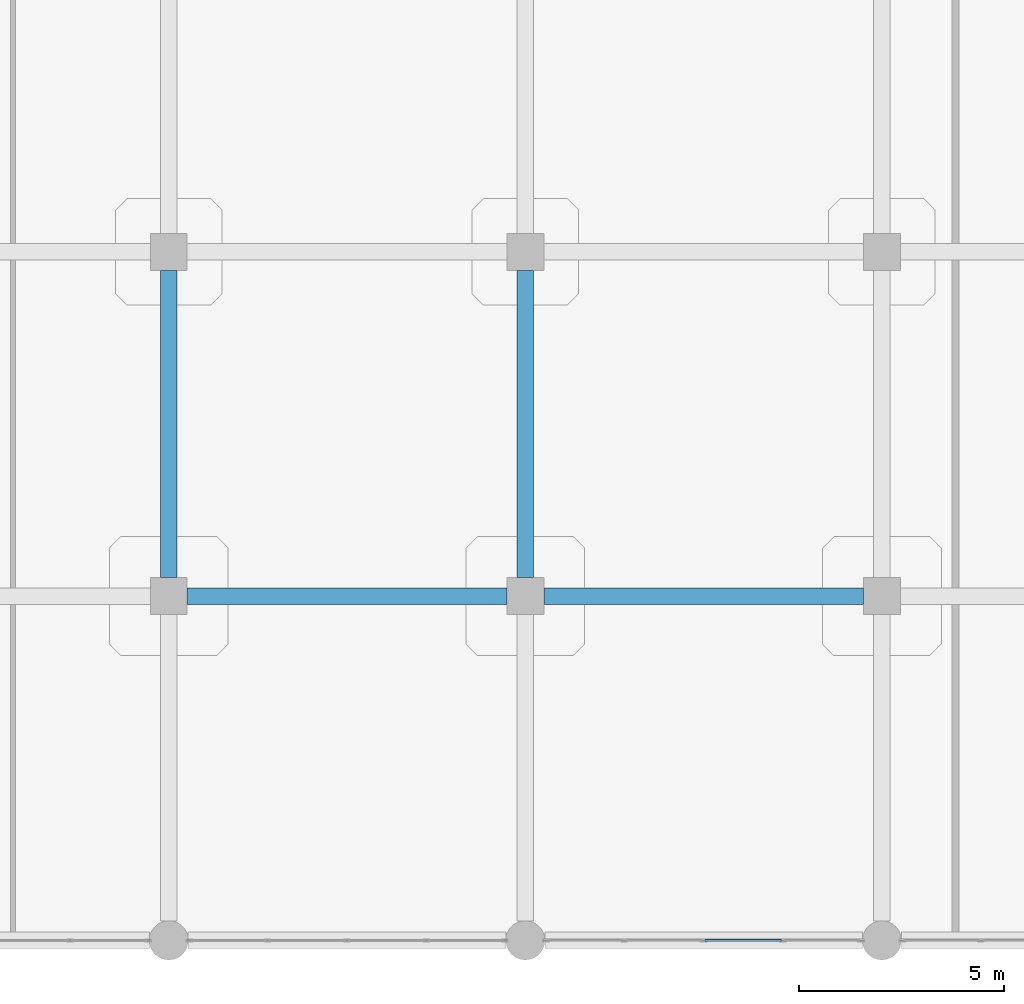
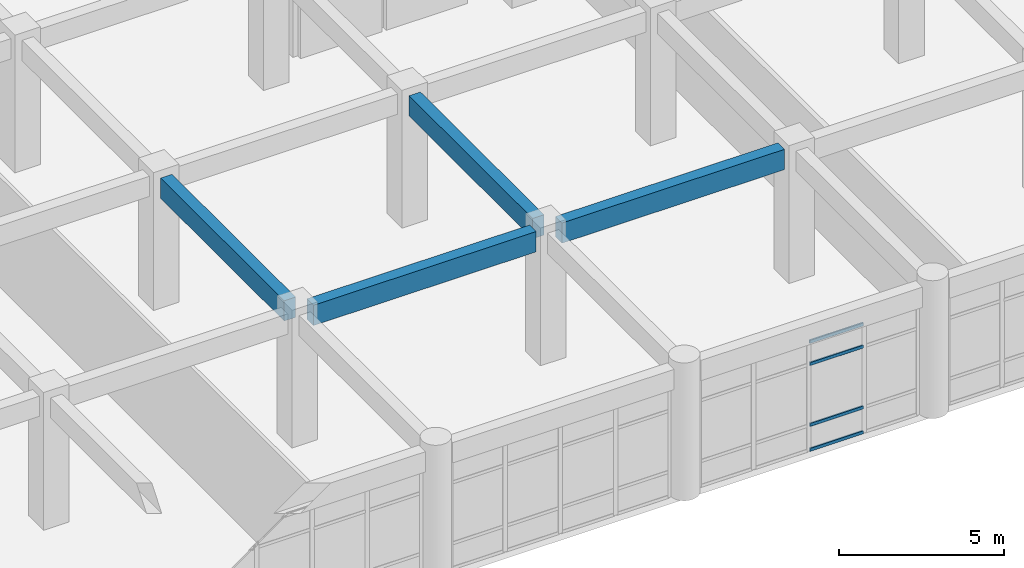
# One storey, part 14 of 120: 4 beams, 4 members, 1 element without a shape of its own.
"""IFC4 building model written with IfcOpenShell, lengths in metres."""

from ifc_helpers import new_model, si_unit, derived_unit, direction, frame, origin, origin_2d, place, context, subcontext, project, spatial, rectangle, hollow_rectangle, extrude, material, layer, layer_set, material_profile, profile_set, type_object, element, aggregate, save


model = new_model("IFC4")

# Units and contexts
model_context = context("Model", 3, precision=1e-05, world=origin(), true_north=direction((0.0, 1.0)))
body_context = subcontext(model_context, "Body", "Model", "MODEL_VIEW")
ifc_project = project(units=[si_unit("LENGTHUNIT", "METRE"), si_unit("AREAUNIT", "SQUARE_METRE"), si_unit("VOLUMEUNIT", "CUBIC_METRE"), si_unit("PLANEANGLEUNIT", "RADIAN"), si_unit("MASSUNIT", "GRAM", prefix="KILO"), derived_unit("THERMALTRANSMITTANCEUNIT", [(si_unit("MASSUNIT", "GRAM", prefix="KILO"), 1), (si_unit("TIMEUNIT", "SECOND"), -3), (si_unit("THERMODYNAMICTEMPERATUREUNIT", "KELVIN"), -1)])], contexts=[model_context])

# Site, building, storey
site_placement = place(None, origin())
site = spatial("IfcSite", under=ifc_project, at=site_placement, CompositionType="ELEMENT")
building_placement = place(site_placement, origin())
building = spatial("IfcBuilding", under=site, at=building_placement, Name="Qinzheling Arcade Emporium", CompositionType="ELEMENT")
storey_placement = place(building_placement, frame((0.0, 0.0, 11.39990234375)))
storey = spatial("IfcBuildingStorey", under=building, at=storey_placement, Name="L03", CompositionType="ELEMENT", Elevation=11.39990234375)

# Curtain wall, members
ifc_material_1 = material(Name="Anodised aluminium and solar-control double glazing", Category="aluminium")
ifc_layer = layer(ifc_material_1, 0.159912109375, Name="Anodised aluminium and solar-control double glazing", Category="aluminium")
ifc_layer_set = layer_set([ifc_layer], Name="Anodised aluminium and solar-control double glazing")
curtain_wall_type = type_object("IfcCurtainWallType", Name="Arcade Portal Glazed Curtain Wall", PredefinedType="NOTDEFINED", material=ifc_layer_set)
curtain_wall_placement = place(storey_placement, origin())
curtain_wall = element("IfcCurtainWall", 1, at=curtain_wall_placement, inside=storey, type_object=curtain_wall_type, Name="Curtain Wall CW-L03-150", PredefinedType="NOTDEFINED")
ifc_material_2 = material(Name="Anodised aluminium 6063-T6", Category="aluminium")
ifc_material_profile_1 = material_profile(ifc_material_2, hollow_rectangle(XDim=0.06005859375, YDim=0.1201171875, WallThickness=0.00390625, InnerFilletRadius=0.00390625, OuterFilletRadius=0.008056640625, at=origin_2d()), Name="RHS 120x60x4", Category="aluminium")
ifc_profile_set_1 = profile_set([ifc_material_profile_1], Name="Anodised aluminium 6063-T6")
member_type = type_object("IfcMemberType", Name="Curtain Wall Transom RHS120x60", PredefinedType="USERDEFINED", material=ifc_profile_set_1)
member_1_placement = place(storey_placement, frame((49.756591796875, 0.0, 0.030029296875), z_axis=(-1.0, 0.0, 0.0), x_axis=(0.0, -1.0, 0.0)))
member_1 = element("IfcMember", 2, at=member_1_placement, type_object=member_type, Name="CW05 transom 2.1", ObjectType="TRANSOM", PredefinedType="USERDEFINED", context=body_context, shape_type="SweptSolid", body=[
    extrude(hollow_rectangle(XDim=0.06005859375, YDim=0.1201171875, WallThickness=0.00390625, InnerFilletRadius=0.00390625, OuterFilletRadius=0.008056640625, at=origin_2d()), origin(), (0.0, 0.0, 1.0), 1.876708984375),
])
member_2_placement = place(storey_placement, frame((49.756591796875, 0.0, 0.9501953125), z_axis=(-1.0, 0.0, 0.0), x_axis=(0.0, -1.0, 0.0)))
member_2 = element("IfcMember", 3, at=member_2_placement, type_object=member_type, Name="CW05 transom 2.2", ObjectType="TRANSOM", PredefinedType="USERDEFINED", context=body_context, shape_type="SweptSolid", body=[
    extrude(hollow_rectangle(XDim=0.06005859375, YDim=0.1201171875, WallThickness=0.00390625, InnerFilletRadius=0.00390625, OuterFilletRadius=0.008056640625, at=origin_2d()), origin(), (0.0, 0.0, 1.0), 1.876708984375),
])
member_3_placement = place(storey_placement, frame((49.756591796875, 0.0, 3.205078125), z_axis=(-1.0, 0.0, 0.0), x_axis=(0.0, -1.0, 0.0)))
member_3 = element("IfcMember", 4, at=member_3_placement, type_object=member_type, Name="CW05 transom 2.3", ObjectType="TRANSOM", PredefinedType="USERDEFINED", context=body_context, shape_type="SweptSolid", body=[
    extrude(hollow_rectangle(XDim=0.06005859375, YDim=0.1201171875, WallThickness=0.00390625, InnerFilletRadius=0.00390625, OuterFilletRadius=0.008056640625, at=origin_2d()), origin(), (0.0, 0.0, 1.0), 1.876708984375),
])
member_4_placement = place(storey_placement, frame((49.756591796875, 0.0, 4.025146484375), z_axis=(-1.0, 0.0, 0.0), x_axis=(0.0, -1.0, 0.0)))
member_4 = element("IfcMember", 5, at=member_4_placement, type_object=member_type, Name="CW05 transom 2.4", ObjectType="TRANSOM", PredefinedType="USERDEFINED", context=body_context, shape_type="SweptSolid", body=[
    extrude(hollow_rectangle(XDim=0.06005859375, YDim=0.1201171875, WallThickness=0.00390625, InnerFilletRadius=0.00390625, OuterFilletRadius=0.008056640625, at=origin_2d()), origin(), (0.0, 0.0, 1.0), 1.876708984375),
])
aggregate(curtain_wall, [member_1, member_2, member_3, member_4])

# Beams
ifc_material_3 = material(Name="Concrete C40", Category="concrete")
ifc_material_profile_2 = material_profile(ifc_material_3, rectangle(XDim=0.39990234375, YDim=0.75, at=origin_2d()), Name="RC 400x750", Category="concrete")
ifc_profile_set_2 = profile_set([ifc_material_profile_2], Name="Concrete C40")
beam_type = type_object("IfcBeamType", Name="RC Interior Tie Beam 400x750 C40", PredefinedType="BEAM", material=ifc_profile_set_2)
for number, where, z_axis, x_axis, name in (
    (6, (35.25, 8.39990234375, 4.445068359375), (1.0, 0.0, 0.0), (0.0, 1.0, 0.0), "Beam BM-L03-X-B-5"),
    (7, (43.949951171875, 8.39990234375, 4.445068359375), (1.0, 0.0, 0.0), (0.0, 1.0, 0.0), "Beam BM-L03-X-B-6"),
):
    element("IfcBeam", number, at=place(storey_placement, frame(where, z_axis=z_axis, x_axis=x_axis)), inside=storey, type_object=beam_type, Name=name, PredefinedType="BEAM", context=body_context, shape_type="SweptSolid", body=[
        extrude(rectangle(XDim=0.39990234375, YDim=0.75, at=origin_2d()), origin(), (0.0, 0.0, 1.0), 7.800048828125),
    ])
for number, where, z_axis, x_axis, name in (
    (8, (34.800048828125, 8.85009765625, 4.445068359375), (0.0, 1.0, 0.0), (-1.0, 0.0, 0.0), "Beam BM-L03-Y-5-B"),
    (9, (43.5, 8.85009765625, 4.445068359375), (0.0, 1.0, 0.0), (-1.0, 0.0, 0.0), "Beam BM-L03-Y-6-B"),
):
    element("IfcBeam", number, at=place(storey_placement, frame(where, z_axis=z_axis, x_axis=x_axis)), inside=storey, type_object=beam_type, Name=name, PredefinedType="BEAM", context=body_context, shape_type="SweptSolid", body=[
        extrude(rectangle(XDim=0.39990234375, YDim=0.75, at=origin_2d()), origin(), (0.0, 0.0, 1.0), 7.5),
    ])

save(model, "model.ifc")
